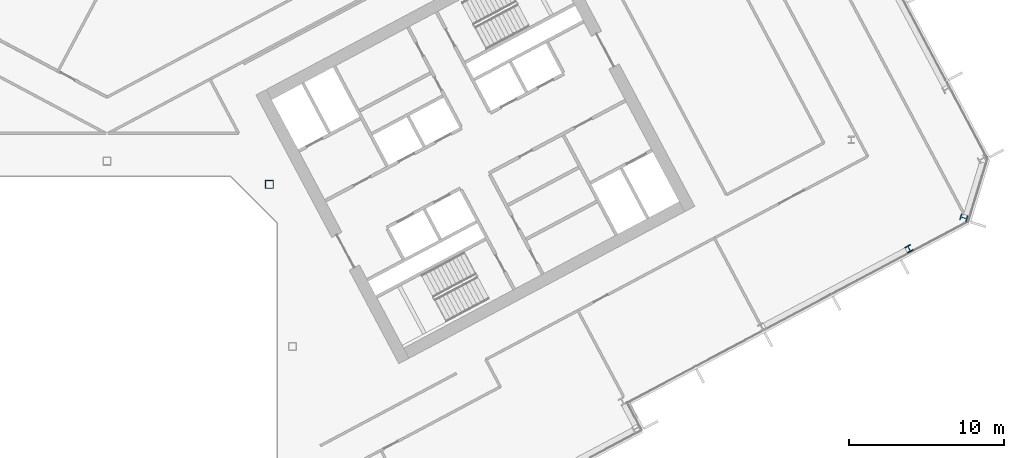
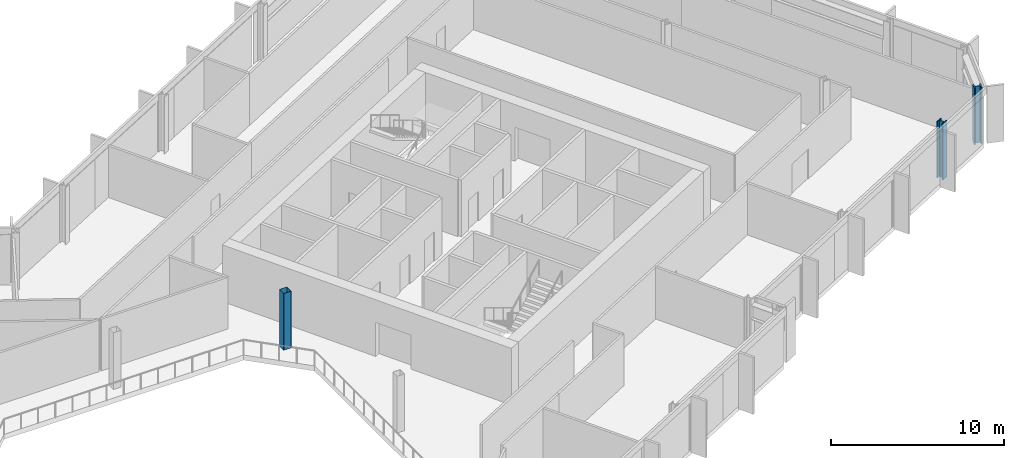
# One storey, part 6 of 28: 3 columns.
"""IFC4 building model written with IfcOpenShell, lengths in metres."""

from ifc_helpers import new_model, si_unit, direction, frame, origin, origin_2d, place, context, subcontext, project, spatial, hollow_rectangle, i_section, extrude, material, material_profile, profile_set, type_object, element, save


model = new_model("IFC4")

# Units and contexts
model_context = context("Model", 3, precision=1e-05, world=origin(), true_north=direction((0.0, 1.0)))
body_context = subcontext(model_context, "Body", "Model", "MODEL_VIEW")
ifc_project = project(units=[si_unit("LENGTHUNIT", "METRE"), si_unit("AREAUNIT", "SQUARE_METRE"), si_unit("VOLUMEUNIT", "CUBIC_METRE"), si_unit("PLANEANGLEUNIT", "RADIAN"), si_unit("MASSUNIT", "GRAM", prefix="KILO")], contexts=[model_context])

# Site, building, storey
site_placement = place(None, origin())
site = spatial("IfcSite", under=ifc_project, at=site_placement, CompositionType="ELEMENT")
building_placement = place(site_placement, origin())
building = spatial("IfcBuilding", under=site, at=building_placement, Name="Cormorant Relay Tower", CompositionType="ELEMENT")
storey_placement = place(building_placement, frame((0.0, 0.0, 134.199951171875)))
storey = spatial("IfcBuildingStorey", under=building, at=storey_placement, Name="L27", CompositionType="ELEMENT", Elevation=134.199951171875)

# Columns
ifc_material_1 = material(Name="Steel ASTM A500 Grade C (Fy 345 MPa)", Category="steel")
ifc_material_profile_1 = material_profile(ifc_material_1, hollow_rectangle(XDim=0.508056640625, YDim=0.508056640625, WallThickness=0.01171875, InnerFilletRadius=0.005859375, OuterFilletRadius=0.017822265625, at=origin_2d()), Name="HSS508x508x12")
ifc_profile_set_1 = profile_set([ifc_material_profile_1], Name="Steel ASTM A500 Grade C (Fy 345 MPa)")
column_type_1 = type_object("IfcColumnType", Name="Column HSS508x508x12", PredefinedType="COLUMN", material=ifc_profile_set_1)
column_1_placement = place(storey_placement, frame((10.5, 10.5, 0.0), z_axis=(0.0, 0.0, 1.0), x_axis=(1.0, 0.0, 0.0)))
element("IfcColumn", 1, at=column_1_placement, inside=storey, type_object=column_type_1, Name="Column L27-024", PredefinedType="COLUMN", context=body_context, shape_type="SweptSolid", body=[
    extrude(hollow_rectangle(XDim=0.508056640625, YDim=0.508056640625, WallThickness=0.01171875, InnerFilletRadius=0.005859375, OuterFilletRadius=0.017822265625, at=origin_2d()), origin(), (0.0, 0.0, 1.0), 4.0),
])
ifc_material_2 = material(Name="Steel ASTM A992 (Fy 345 MPa)", Category="steel")
ifc_material_profile_2 = material_profile(ifc_material_2, i_section(OverallWidth=0.41162109375, OverallDepth=0.434326171875, WebThickness=0.035888671875, FlangeThickness=0.057373046875, FilletRadius=0.01513671875, at=origin_2d()), Name="W360x463")
ifc_profile_set_2 = profile_set([ifc_material_profile_2], Name="Steel ASTM A992 (Fy 345 MPa)")
column_type_2 = type_object("IfcColumnType", Name="Column W360x463", PredefinedType="COLUMN", material=ifc_profile_set_2)
column_2_placement = place(storey_placement, frame((51.905029296875, 6.327880859375, 0.0), z_axis=(0.0, 0.0, 1.0), x_axis=(0.882947592859, 0.469471562786, 0.0)))
element("IfcColumn", 2, at=column_2_placement, inside=storey, type_object=column_type_2, Name="Column L27-020", PredefinedType="COLUMN", context=body_context, shape_type="SweptSolid", body=[
    extrude(i_section(OverallWidth=0.41162109375, OverallDepth=0.434326171875, WebThickness=0.035888671875, FlangeThickness=0.057373046875, FilletRadius=0.01513671875, at=origin_2d()), origin(), (0.0, 0.0, 1.0), 4.0),
])
ifc_material_3 = material(Name="Steel ASTM A992 (Fy 345 MPa)", Category="steel")
ifc_material_profile_3 = material_profile(ifc_material_3, i_section(OverallWidth=0.42431640625, OverallDepth=0.47509765625, WebThickness=0.0478515625, FlangeThickness=0.0771484375, FilletRadius=0.014892578125, at=origin_2d()), Name="W360x634")
ifc_profile_set_3 = profile_set([ifc_material_profile_3], Name="Steel ASTM A992 (Fy 345 MPa)")
column_type_3 = type_object("IfcColumnType", Name="Column W360x634", PredefinedType="COLUMN", material=ifc_profile_set_3)
column_3_placement = place(storey_placement, frame((55.446044921875, 8.3291015625, 0.0), z_axis=(0.0, 0.0, 1.0), x_axis=(0.292371704723, 0.956304755963, 0.0)))
element("IfcColumn", 3, at=column_3_placement, inside=storey, type_object=column_type_3, Name="Column L27-021", PredefinedType="COLUMN", context=body_context, shape_type="SweptSolid", body=[
    extrude(i_section(OverallWidth=0.42431640625, OverallDepth=0.47509765625, WebThickness=0.0478515625, FlangeThickness=0.0771484375, FilletRadius=0.014892578125, at=origin_2d()), origin(), (0.0, 0.0, 1.0), 4.0),
])

save(model, "model.ifc")
